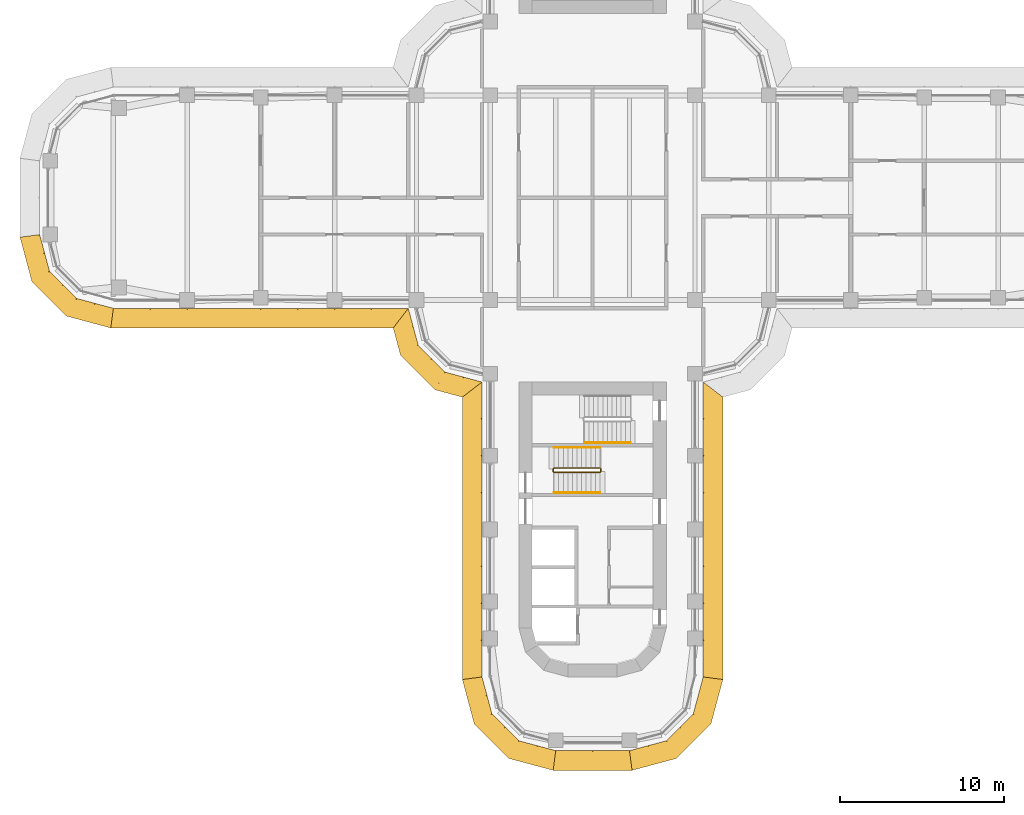
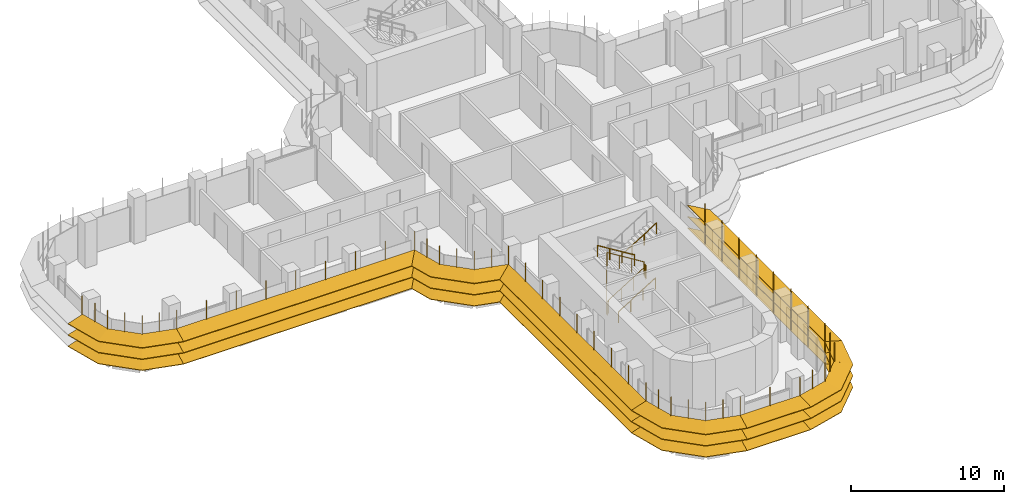
# One storey, part 19 of 22: 8 shading devices, 4 railings.
"""IFC4 building model written with IfcOpenShell, lengths in metres."""

from ifc_helpers import new_model, si_unit, direction, frame, origin, origin_2d, place, context, subcontext, project, spatial, polyline, circle, outline, extrude, faceted_brep, source, transform, mapped, material, type_object, element, save


model = new_model("IFC4")

# Units and contexts
model_context = context("Model", 3, precision=1e-05, world=origin(), true_north=direction((0.0, 1.0)))
body_context = subcontext(model_context, "Body", "Model", "MODEL_VIEW")
ifc_project = project(units=[si_unit("LENGTHUNIT", "METRE"), si_unit("AREAUNIT", "SQUARE_METRE"), si_unit("VOLUMEUNIT", "CUBIC_METRE"), si_unit("PLANEANGLEUNIT", "RADIAN"), si_unit("MASSUNIT", "GRAM", prefix="KILO")], contexts=[model_context])

# Site, building, storey
site_placement = place(None, origin())
site = spatial("IfcSite", under=ifc_project, at=site_placement, CompositionType="ELEMENT")
building_placement = place(site_placement, origin())
building = spatial("IfcBuilding", under=site, at=building_placement, Name="Zarbagh Exchange Tower", CompositionType="ELEMENT")
storey_placement = place(building_placement, frame((0.0, 0.0, 109.39990234375)))
storey = spatial("IfcBuildingStorey", under=building, at=storey_placement, Name="L25", CompositionType="ELEMENT", Elevation=109.39990234375)

# Railings
ifc_material_1 = material(Name="Stainless steel", Category="steel")
railing_type_1 = type_object("IfcRailingType", Name="Stair guard 1100 mm", PredefinedType="GUARDRAIL", material=ifc_material_1)
railing_1_placement = place(storey_placement, frame((0.449951171875, -16.5, 2.07275390625)))
element("IfcRailing", 1, at=railing_1_placement, inside=storey, type_object=railing_type_1, Name="ST3 stair guard 1", PredefinedType="GUARDRAIL", context=body_context, shape_type="SweptSolid", body=[
    extrude(circle(Radius=0.02392578125, at=origin_2d()), frame((0.0, 0.0, 1.076171875), z_axis=(-0.851089632645, 0.0, 0.525020415988), x_axis=(0.0, -1.0, 0.0)), (0.0, 0.0, 1.0), 3.2900390625),
    extrude(circle(Radius=0.02392578125, at=origin_2d()), frame((-2.800048828125, 0.0, 2.80322265625), z_axis=(-0.013104066473, -0.013168302093, -0.99982742474), x_axis=(0.708833529934, -0.705375805398, 0.0)), (0.0, 0.0, 1.0), 3.80078125),
    extrude(circle(Radius=0.02392578125, at=origin_2d()), frame((-2.849853515625, -0.050048828125, -0.99658203125), z_axis=(0.0, -1.0, 0.0), x_axis=(1.0, 0.0, 0.0)), (0.0, 0.0, 1.0), 0.14990234375),
    extrude(circle(Radius=0.02392578125, at=origin_2d()), frame((-2.849853515625, -0.199951171875, -0.99658203125), z_axis=(0.266739603011, -0.268047150085, 0.925743328097), x_axis=(0.708833529934, 0.705375805398, 0.0)), (0.0, 0.0, 1.0), 0.186767578125),
    extrude(circle(Radius=0.02392578125, at=origin_2d()), frame((-2.800048828125, -0.25, -0.82373046875), z_axis=(0.851089632645, 0.0, 0.525020415988), x_axis=(0.0, 1.0, 0.0)), (0.0, 0.0, 1.0), 3.2900390625),
    extrude(circle(Radius=0.02392578125, at=origin_2d()), frame((0.0, -0.25, 0.9033203125), z_axis=(0.707106781187, 0.707106781187, 0.0), x_axis=(-0.707106781187, 0.707106781187, 0.0)), (0.0, 0.0, 1.0), 0.07080078125),
    extrude(circle(Radius=0.02392578125, at=origin_2d()), frame((0.050048828125, -0.199951171875, 0.9033203125), z_axis=(0.0, 1.0, 0.0), x_axis=(-1.0, 0.0, 0.0)), (0.0, 0.0, 1.0), 0.14990234375),
    extrude(circle(Radius=0.02099609375, at=origin_2d()), origin(), (0.0, 0.0, 1.0), 1.052001953125),
    extrude(circle(Radius=0.02099609375, at=origin_2d()), frame((-0.933349609375, 0.0, 0.57568359375)), (0.0, 0.0, 1.0), 1.052001953125),
    extrude(circle(Radius=0.02099609375, at=origin_2d()), frame((-1.86669921875, 0.0, 1.151611328125)), (0.0, 0.0, 1.0), 1.052001953125),
    extrude(circle(Radius=0.02099609375, at=origin_2d()), frame((-2.800048828125, 0.0, 1.727294921875)), (0.0, 0.0, 1.0), 1.052001953125),
    extrude(circle(Radius=0.02099609375, at=origin_2d()), frame((-2.8125, -0.012451171875, 0.77734375)), (0.0, 0.0, 1.0), 1.052001953125),
    extrude(circle(Radius=0.02099609375, at=origin_2d()), frame((-2.824951171875, -0.02490234375, -0.1728515625)), (0.0, 0.0, 1.0), 1.052001953125),
    extrude(circle(Radius=0.02099609375, at=origin_2d()), frame((-2.83740234375, -0.03759765625, -1.122802734375)), (0.0, 0.0, 1.0), 1.052001953125),
    extrude(circle(Radius=0.02099609375, at=origin_2d()), frame((-2.849853515625, -0.050048828125, -2.07275390625)), (0.0, 0.0, 1.0), 1.052001953125),
    extrude(circle(Radius=0.02099609375, at=origin_2d()), frame((-2.849853515625, -0.199951171875, -2.07275390625)), (0.0, 0.0, 1.0), 1.052001953125),
    extrude(circle(Radius=0.02099609375, at=origin_2d()), frame((-2.800048828125, -0.25, -1.89990234375)), (0.0, 0.0, 1.0), 1.052001953125),
    extrude(circle(Radius=0.02099609375, at=origin_2d()), frame((-1.86669921875, -0.25, -1.32421875)), (0.0, 0.0, 1.0), 1.052001953125),
    extrude(circle(Radius=0.02099609375, at=origin_2d()), frame((-0.933349609375, -0.25, -0.748291015625)), (0.0, 0.0, 1.0), 1.052001953125),
    extrude(circle(Radius=0.02099609375, at=origin_2d()), frame((0.0, -0.25, -0.172607421875)), (0.0, 0.0, 1.0), 1.052001953125),
    extrude(circle(Radius=0.02099609375, at=origin_2d()), frame((0.050048828125, -0.199951171875, -0.172607421875)), (0.0, 0.0, 1.0), 1.052001953125),
    extrude(circle(Radius=0.02099609375, at=origin_2d()), frame((0.050048828125, -0.050048828125, -0.172607421875)), (0.0, 0.0, 1.0), 1.052001953125),
])
railing_type_2 = type_object("IfcRailingType", Name="Stair handrail 900 mm", PredefinedType="HANDRAIL", material=ifc_material_1)
railing_2_placement = place(storey_placement, frame((-2.35009765625, -18.0, 0.1728515625)))
element("IfcRailing", 2, at=railing_2_placement, inside=storey, type_object=railing_type_2, Name="ST3 stair handrail 1", PredefinedType="HANDRAIL", context=body_context, shape_type="SweptSolid", body=[
    extrude(circle(Radius=0.02392578125, at=origin_2d()), frame((0.0, 0.0, 0.8759765625), z_axis=(0.851089632645, 0.0, 0.525020415988), x_axis=(0.0, 1.0, 0.0)), (0.0, 0.0, 1.0), 3.2900390625),
    extrude(circle(Radius=0.02099609375, at=origin_2d()), origin(), (0.0, 0.0, 1.0), 0.851806640625),
    extrude(circle(Radius=0.02099609375, at=origin_2d()), frame((0.933349609375, 0.0, 0.57568359375)), (0.0, 0.0, 1.0), 0.851806640625),
    extrude(circle(Radius=0.02099609375, at=origin_2d()), frame((1.86669921875, 0.0, 1.151611328125)), (0.0, 0.0, 1.0), 0.851806640625),
    extrude(circle(Radius=0.02099609375, at=origin_2d()), frame((2.800048828125, 0.0, 1.727294921875)), (0.0, 0.0, 1.0), 0.851806640625),
])
railing_3_placement = place(storey_placement, frame((0.449951171875, -15.25, 2.07275390625)))
element("IfcRailing", 3, at=railing_3_placement, inside=storey, type_object=railing_type_2, Name="ST3 stair handrail 2", PredefinedType="HANDRAIL", context=body_context, shape_type="SweptSolid", body=[
    extrude(circle(Radius=0.02392578125, at=origin_2d()), frame((0.0, 0.0, 0.8759765625), z_axis=(-0.851089632645, 0.0, 0.525020415988), x_axis=(0.0, -1.0, 0.0)), (0.0, 0.0, 1.0), 3.2900390625),
    extrude(circle(Radius=0.02099609375, at=origin_2d()), origin(), (0.0, 0.0, 1.0), 0.851806640625),
    extrude(circle(Radius=0.02099609375, at=origin_2d()), frame((-0.933349609375, 0.0, 0.57568359375)), (0.0, 0.0, 1.0), 0.851806640625),
    extrude(circle(Radius=0.02099609375, at=origin_2d()), frame((-1.86669921875, 0.0, 1.151611328125)), (0.0, 0.0, 1.0), 0.851806640625),
    extrude(circle(Radius=0.02099609375, at=origin_2d()), frame((-2.800048828125, 0.0, 1.727294921875)), (0.0, 0.0, 1.0), 0.851806640625),
])
railing_4_placement = place(storey_placement, frame((-0.5, -14.949951171875, 2.07275390625)))
element("IfcRailing", 4, at=railing_4_placement, inside=storey, type_object=railing_type_2, Name="ST4 stair handrail 2", PredefinedType="HANDRAIL", context=body_context, shape_type="SweptSolid", body=[
    extrude(circle(Radius=0.02392578125, at=origin_2d()), frame((0.0, 0.0, 0.8759765625), z_axis=(0.851089632645, 0.0, 0.525020415988), x_axis=(0.0, 1.0, 0.0)), (0.0, 0.0, 1.0), 3.2900390625),
    extrude(circle(Radius=0.02099609375, at=origin_2d()), origin(), (0.0, 0.0, 1.0), 0.851806640625),
    extrude(circle(Radius=0.02099609375, at=origin_2d()), frame((0.933349609375, 0.0, 0.57568359375)), (0.0, 0.0, 1.0), 0.851806640625),
    extrude(circle(Radius=0.02099609375, at=origin_2d()), frame((1.86669921875, 0.0, 1.151611328125)), (0.0, 0.0, 1.0), 0.851806640625),
    extrude(circle(Radius=0.02099609375, at=origin_2d()), frame((2.800048828125, 0.0, 1.727294921875)), (0.0, 0.0, 1.0), 0.851806640625),
])

# Shading devices
ifc_material_2 = material(Name="Anodised aluminium blades and brackets", Category="aluminium")
shading_device_type = type_object("IfcShadingDeviceType", Name="SUNSHADE louvre band, 11.25 degree blades", PredefinedType="JALOUSIE", material=ifc_material_2)
shared_shape_1 = source(origin(), body_context, "Body", "Brep", [
    faceted_brep([(0.0, 0.0, 0.0), (0.0, 0.0, -0.040771484375), (-0.157958984375, -1.199951171875, -0.279541015625), (-0.157958984375, -1.199951171875, -0.23876953125), (2.65087890625, -1.199951171875, -0.23876953125), (2.65087890625, -1.199951171875, -0.279541015625), (2.329345703125, 0.0, -0.040771484375), (2.329345703125, 0.0, 0.0)], [[[0, 1, 2, 3]], [[4, 5, 6, 7]], [[0, 7, 6, 1]], [[1, 6, 5, 2]], [[2, 5, 4, 3]], [[3, 4, 7, 0]]]),
])
shared_shape_2 = source(origin(), body_context, "Body", "Brep", [
    faceted_brep([(0.0, 0.0, 0.0), (0.0, 0.0, -0.040771484375), (-0.321533203125, -1.199951171875, -0.279541015625), (-0.321533203125, -1.199951171875, -0.23876953125), (2.65087890625, -1.199951171875, -0.23876953125), (2.65087890625, -1.199951171875, -0.279541015625), (2.329345703125, 0.0, -0.040771484375), (2.329345703125, 0.0, 0.0)], [[[0, 1, 2, 3]], [[4, 5, 6, 7]], [[0, 7, 6, 1]], [[1, 6, 5, 2]], [[2, 5, 4, 3]], [[3, 4, 7, 0]]]),
])
shared_shape_3 = source(origin(), body_context, "Body", "Brep", [
    faceted_brep([(0.0, 0.0, 0.0), (0.0, 0.0, -0.040771484375), (-0.321533203125, -1.199951171875, -0.279541015625), (-0.321533203125, -1.199951171875, -0.23876953125), (2.4873046875, -1.199951171875, -0.23876953125), (2.4873046875, -1.199951171875, -0.279541015625), (2.329345703125, 0.0, -0.040771484375), (2.329345703125, 0.0, 0.0)], [[[0, 1, 2, 3]], [[4, 5, 6, 7]], [[0, 7, 6, 1]], [[1, 6, 5, 2]], [[2, 5, 4, 3]], [[3, 4, 7, 0]]]),
])
shared_shape_4 = source(origin(), body_context, "Body", "SweptSolid", [
    extrude(outline(polyline([(0.0, -0.012451171875), (0.06005859375, -0.012451171875), (0.06005859375, 0.012451171875), (0.0, 0.012451171875), (0.0, -0.012451171875)])), origin(), (0.0, 0.0, 1.0), 3.350830078125),
])
placement = place(storey_placement, origin())
element("IfcShadingDevice", 5, at=placement, inside=storey, type_object=shading_device_type, Name="SS01 sunshade band", PredefinedType="JALOUSIE", context=body_context, shape_type="MappedRepresentation", body=[
    mapped(shared_shape_1, transform((2.25, -33.75, 2.300048828125), x_axis=(0.965924289636, 0.258824779902, 0.0), y_axis=(-0.258824779902, 0.965924289636, 0.0), z_axis=(0.0, 0.0, 1.0))),
    mapped(shared_shape_1, transform((2.25, -33.75, 1.400146484375), x_axis=(0.965924289636, 0.258824779902, 0.0), y_axis=(-0.258824779902, 0.965924289636, 0.0), z_axis=(0.0, 0.0, 1.0))),
    mapped(shared_shape_1, transform((2.25, -33.75, 0.5), x_axis=(0.965924289636, 0.258824779902, 0.0), y_axis=(-0.258824779902, 0.965924289636, 0.0), z_axis=(0.0, 0.0, 1.0))),
    mapped(shared_shape_2, transform((4.5, -33.147216796875, 2.300048828125), x_axis=(0.707106781187, 0.707106781187, 0.0), y_axis=(-0.707106781187, 0.707106781187, 0.0), z_axis=(0.0, 0.0, 1.0))),
    mapped(shared_shape_2, transform((4.5, -33.147216796875, 1.400146484375), x_axis=(0.707106781187, 0.707106781187, 0.0), y_axis=(-0.707106781187, 0.707106781187, 0.0), z_axis=(0.0, 0.0, 1.0))),
    mapped(shared_shape_2, transform((4.5, -33.147216796875, 0.5), x_axis=(0.707106781187, 0.707106781187, 0.0), y_axis=(-0.707106781187, 0.707106781187, 0.0), z_axis=(0.0, 0.0, 1.0))),
    mapped(shared_shape_3, transform((6.147216796875, -31.5, 2.300048828125), x_axis=(0.258824779902, 0.965924289636, 0.0), y_axis=(-0.965924289636, 0.258824779902, 0.0), z_axis=(0.0, 0.0, 1.0))),
    mapped(shared_shape_3, transform((6.147216796875, -31.5, 1.400146484375), x_axis=(0.258824779902, 0.965924289636, 0.0), y_axis=(-0.965924289636, 0.258824779902, 0.0), z_axis=(0.0, 0.0, 1.0))),
    mapped(shared_shape_3, transform((6.147216796875, -31.5, 0.5), x_axis=(0.258824779902, 0.965924289636, 0.0), y_axis=(-0.965924289636, 0.258824779902, 0.0), z_axis=(0.0, 0.0, 1.0))),
    mapped(shared_shape_4, transform((2.25, -33.75, 0.42919921875), x_axis=(0.130529263012, -0.991444457092, 0.0), y_axis=(0.991444457092, 0.130529263012, 0.0), z_axis=(0.0, 0.0, 1.0))),
    mapped(shared_shape_4, transform((3.375, -33.448486328125, 0.42919921875), x_axis=(0.258825058029, -0.96592421511, 0.0), y_axis=(0.96592421511, 0.258825058029, 0.0), z_axis=(0.0, 0.0, 1.0))),
    mapped(shared_shape_4, transform((4.5, -33.147216796875, 0.42919921875), x_axis=(0.50000275701, -0.866023812018, 0.0), y_axis=(0.866023812018, 0.50000275701, 0.0), z_axis=(0.0, 0.0, 1.0))),
    mapped(shared_shape_4, transform((5.323486328125, -32.323486328125, 0.42919921875), x_axis=(0.707106781187, -0.707106781187, 0.0), y_axis=(0.707106781187, 0.707106781187, 0.0), z_axis=(0.0, 0.0, 1.0))),
    mapped(shared_shape_4, transform((6.147216796875, -31.5, 0.42919921875), x_axis=(0.866023812018, -0.50000275701, 0.0), y_axis=(0.50000275701, 0.866023812018, 0.0), z_axis=(0.0, 0.0, 1.0))),
    mapped(shared_shape_4, transform((6.448486328125, -30.375, 0.42919921875), x_axis=(0.96592421511, -0.258825058029, 0.0), y_axis=(0.258825058029, 0.96592421511, 0.0), z_axis=(0.0, 0.0, 1.0))),
])
element("IfcShadingDevice", 6, at=placement, inside=storey, type_object=shading_device_type, Name="SS19 sunshade band", PredefinedType="JALOUSIE", context=body_context, shape_type="MappedRepresentation", body=[
    mapped(shared_shape_1, transform((-33.75, -2.25, 2.300048828125), x_axis=(0.258824779902, -0.965924289636, 0.0), y_axis=(0.965924289636, 0.258824779902, 0.0), z_axis=(0.0, 0.0, 1.0))),
    mapped(shared_shape_1, transform((-33.75, -2.25, 1.400146484375), x_axis=(0.258824779902, -0.965924289636, 0.0), y_axis=(0.965924289636, 0.258824779902, 0.0), z_axis=(0.0, 0.0, 1.0))),
    mapped(shared_shape_1, transform((-33.75, -2.25, 0.5), x_axis=(0.258824779902, -0.965924289636, 0.0), y_axis=(0.965924289636, 0.258824779902, 0.0), z_axis=(0.0, 0.0, 1.0))),
    mapped(shared_shape_2, transform((-33.147216796875, -4.5, 2.300048828125), x_axis=(0.707106781187, -0.707106781187, 0.0), y_axis=(0.707106781187, 0.707106781187, 0.0), z_axis=(0.0, 0.0, 1.0))),
    mapped(shared_shape_2, transform((-33.147216796875, -4.5, 1.400146484375), x_axis=(0.707106781187, -0.707106781187, 0.0), y_axis=(0.707106781187, 0.707106781187, 0.0), z_axis=(0.0, 0.0, 1.0))),
    mapped(shared_shape_2, transform((-33.147216796875, -4.5, 0.5), x_axis=(0.707106781187, -0.707106781187, 0.0), y_axis=(0.707106781187, 0.707106781187, 0.0), z_axis=(0.0, 0.0, 1.0))),
    mapped(shared_shape_3, transform((-31.5, -6.147216796875, 2.300048828125), x_axis=(0.965924289636, -0.258824779902, 0.0), y_axis=(0.258824779902, 0.965924289636, 0.0), z_axis=(0.0, 0.0, 1.0))),
    mapped(shared_shape_3, transform((-31.5, -6.147216796875, 1.400146484375), x_axis=(0.965924289636, -0.258824779902, 0.0), y_axis=(0.258824779902, 0.965924289636, 0.0), z_axis=(0.0, 0.0, 1.0))),
    mapped(shared_shape_3, transform((-31.5, -6.147216796875, 0.5), x_axis=(0.965924289636, -0.258824779902, 0.0), y_axis=(0.258824779902, 0.965924289636, 0.0), z_axis=(0.0, 0.0, 1.0))),
    mapped(shared_shape_4, transform((-33.75, -2.25, 0.42919921875), x_axis=(-0.991444457092, -0.130529263012, 0.0), y_axis=(0.130529263012, -0.991444457092, 0.0), z_axis=(0.0, 0.0, 1.0))),
    mapped(shared_shape_4, transform((-33.448486328125, -3.375, 0.42919921875), x_axis=(-0.96592421511, -0.258825058029, 0.0), y_axis=(0.258825058029, -0.96592421511, 0.0), z_axis=(0.0, 0.0, 1.0))),
    mapped(shared_shape_4, transform((-33.147216796875, -4.5, 0.42919921875), x_axis=(-0.866023812018, -0.50000275701, 0.0), y_axis=(0.50000275701, -0.866023812018, 0.0), z_axis=(0.0, 0.0, 1.0))),
    mapped(shared_shape_4, transform((-32.323486328125, -5.323486328125, 0.42919921875), x_axis=(-0.707106781187, -0.707106781187, 0.0), y_axis=(0.707106781187, -0.707106781187, 0.0), z_axis=(0.0, 0.0, 1.0))),
    mapped(shared_shape_4, transform((-31.5, -6.147216796875, 0.42919921875), x_axis=(-0.50000275701, -0.866023812018, 0.0), y_axis=(0.866023812018, -0.50000275701, 0.0), z_axis=(0.0, 0.0, 1.0))),
    mapped(shared_shape_4, transform((-30.375, -6.448486328125, 0.42919921875), x_axis=(-0.258825058029, -0.96592421511, 0.0), y_axis=(0.96592421511, -0.258825058029, 0.0), z_axis=(0.0, 0.0, 1.0))),
])
element("IfcShadingDevice", 7, at=placement, inside=storey, type_object=shading_device_type, Name="SS23 sunshade band", PredefinedType="JALOUSIE", context=body_context, shape_type="MappedRepresentation", body=[
    mapped(shared_shape_1, transform((-6.75, -29.25, 2.300048828125), x_axis=(0.258824779902, -0.965924289636, 0.0), y_axis=(0.965924289636, 0.258824779902, 0.0), z_axis=(0.0, 0.0, 1.0))),
    mapped(shared_shape_1, transform((-6.75, -29.25, 1.400146484375), x_axis=(0.258824779902, -0.965924289636, 0.0), y_axis=(0.965924289636, 0.258824779902, 0.0), z_axis=(0.0, 0.0, 1.0))),
    mapped(shared_shape_1, transform((-6.75, -29.25, 0.5), x_axis=(0.258824779902, -0.965924289636, 0.0), y_axis=(0.965924289636, 0.258824779902, 0.0), z_axis=(0.0, 0.0, 1.0))),
    mapped(shared_shape_2, transform((-6.147216796875, -31.5, 2.300048828125), x_axis=(0.707106781187, -0.707106781187, 0.0), y_axis=(0.707106781187, 0.707106781187, 0.0), z_axis=(0.0, 0.0, 1.0))),
    mapped(shared_shape_2, transform((-6.147216796875, -31.5, 1.400146484375), x_axis=(0.707106781187, -0.707106781187, 0.0), y_axis=(0.707106781187, 0.707106781187, 0.0), z_axis=(0.0, 0.0, 1.0))),
    mapped(shared_shape_2, transform((-6.147216796875, -31.5, 0.5), x_axis=(0.707106781187, -0.707106781187, 0.0), y_axis=(0.707106781187, 0.707106781187, 0.0), z_axis=(0.0, 0.0, 1.0))),
    mapped(shared_shape_3, transform((-4.5, -33.147216796875, 2.300048828125), x_axis=(0.965924289636, -0.258824779902, 0.0), y_axis=(0.258824779902, 0.965924289636, 0.0), z_axis=(0.0, 0.0, 1.0))),
    mapped(shared_shape_3, transform((-4.5, -33.147216796875, 1.400146484375), x_axis=(0.965924289636, -0.258824779902, 0.0), y_axis=(0.258824779902, 0.965924289636, 0.0), z_axis=(0.0, 0.0, 1.0))),
    mapped(shared_shape_3, transform((-4.5, -33.147216796875, 0.5), x_axis=(0.965924289636, -0.258824779902, 0.0), y_axis=(0.258824779902, 0.965924289636, 0.0), z_axis=(0.0, 0.0, 1.0))),
    mapped(shared_shape_4, transform((-6.75, -29.25, 0.42919921875), x_axis=(-0.991444457092, -0.130529263012, 0.0), y_axis=(0.130529263012, -0.991444457092, 0.0), z_axis=(0.0, 0.0, 1.0))),
    mapped(shared_shape_4, transform((-6.448486328125, -30.375, 0.42919921875), x_axis=(-0.96592421511, -0.258825058029, 0.0), y_axis=(0.258825058029, -0.96592421511, 0.0), z_axis=(0.0, 0.0, 1.0))),
    mapped(shared_shape_4, transform((-6.147216796875, -31.5, 0.42919921875), x_axis=(-0.866023812018, -0.50000275701, 0.0), y_axis=(0.50000275701, -0.866023812018, 0.0), z_axis=(0.0, 0.0, 1.0))),
    mapped(shared_shape_4, transform((-5.323486328125, -32.323486328125, 0.42919921875), x_axis=(-0.707106781187, -0.707106781187, 0.0), y_axis=(0.707106781187, -0.707106781187, 0.0), z_axis=(0.0, 0.0, 1.0))),
    mapped(shared_shape_4, transform((-4.5, -33.147216796875, 0.42919921875), x_axis=(-0.50000275701, -0.866023812018, 0.0), y_axis=(0.866023812018, -0.50000275701, 0.0), z_axis=(0.0, 0.0, 1.0))),
    mapped(shared_shape_4, transform((-3.375, -33.448486328125, 0.42919921875), x_axis=(-0.258825058029, -0.96592421511, 0.0), y_axis=(0.96592421511, -0.258825058029, 0.0), z_axis=(0.0, 0.0, 1.0))),
])
shared_shape_5 = source(origin(), body_context, "Body", "Brep", [
    faceted_brep([(0.0, 0.0, 0.0), (0.0, 0.0, -0.040771484375), (0.9208984375, -1.199951171875, -0.279541015625), (0.9208984375, -1.199951171875, -0.23876953125), (2.65087890625, -1.199951171875, -0.23876953125), (2.65087890625, -1.199951171875, -0.279541015625), (2.329345703125, 0.0, -0.040771484375), (2.329345703125, 0.0, 0.0)], [[[0, 1, 2, 3]], [[4, 5, 6, 7]], [[0, 7, 6, 1]], [[1, 6, 5, 2]], [[2, 5, 4, 3]], [[3, 4, 7, 0]]]),
])
shared_shape_6 = source(origin(), body_context, "Body", "Brep", [
    faceted_brep([(0.0, 0.0, 0.0), (0.0, 0.0, -0.040771484375), (-0.321533203125, -1.199951171875, -0.279541015625), (-0.321533203125, -1.199951171875, -0.23876953125), (1.40869140625, -1.199951171875, -0.23876953125), (1.40869140625, -1.199951171875, -0.279541015625), (2.329345703125, 0.0, -0.040771484375), (2.329345703125, 0.0, 0.0)], [[[0, 1, 2, 3]], [[4, 5, 6, 7]], [[0, 7, 6, 1]], [[1, 6, 5, 2]], [[2, 5, 4, 3]], [[3, 4, 7, 0]]]),
])
element("IfcShadingDevice", 8, at=placement, inside=storey, type_object=shading_device_type, Name="SS21 sunshade band", PredefinedType="JALOUSIE", context=body_context, shape_type="MappedRepresentation", body=[
    mapped(shared_shape_5, transform((-11.25, -6.75, 2.300048828125), x_axis=(0.258824779902, -0.965924289636, 0.0), y_axis=(0.965924289636, 0.258824779902, 0.0), z_axis=(0.0, 0.0, 1.0))),
    mapped(shared_shape_5, transform((-11.25, -6.75, 1.400146484375), x_axis=(0.258824779902, -0.965924289636, 0.0), y_axis=(0.965924289636, 0.258824779902, 0.0), z_axis=(0.0, 0.0, 1.0))),
    mapped(shared_shape_5, transform((-11.25, -6.75, 0.5), x_axis=(0.258824779902, -0.965924289636, 0.0), y_axis=(0.965924289636, 0.258824779902, 0.0), z_axis=(0.0, 0.0, 1.0))),
    mapped(shared_shape_2, transform((-10.647216796875, -9.0, 2.300048828125), x_axis=(0.707106781187, -0.707106781187, 0.0), y_axis=(0.707106781187, 0.707106781187, 0.0), z_axis=(0.0, 0.0, 1.0))),
    mapped(shared_shape_2, transform((-10.647216796875, -9.0, 1.400146484375), x_axis=(0.707106781187, -0.707106781187, 0.0), y_axis=(0.707106781187, 0.707106781187, 0.0), z_axis=(0.0, 0.0, 1.0))),
    mapped(shared_shape_2, transform((-10.647216796875, -9.0, 0.5), x_axis=(0.707106781187, -0.707106781187, 0.0), y_axis=(0.707106781187, 0.707106781187, 0.0), z_axis=(0.0, 0.0, 1.0))),
    mapped(shared_shape_6, transform((-9.0, -10.647216796875, 2.300048828125), x_axis=(0.965924289636, -0.258824779902, 0.0), y_axis=(0.258824779902, 0.965924289636, 0.0), z_axis=(0.0, 0.0, 1.0))),
    mapped(shared_shape_6, transform((-9.0, -10.647216796875, 1.400146484375), x_axis=(0.965924289636, -0.258824779902, 0.0), y_axis=(0.258824779902, 0.965924289636, 0.0), z_axis=(0.0, 0.0, 1.0))),
    mapped(shared_shape_6, transform((-9.0, -10.647216796875, 0.5), x_axis=(0.965924289636, -0.258824779902, 0.0), y_axis=(0.258824779902, 0.965924289636, 0.0), z_axis=(0.0, 0.0, 1.0))),
    mapped(shared_shape_4, transform((-11.25, -6.75, 0.42919921875), x_axis=(-0.608758892, -0.793355287, 0.0), y_axis=(0.793355287, -0.608758892, 0.0), z_axis=(0.0, 0.0, 1.0))),
    mapped(shared_shape_4, transform((-10.948486328125, -7.875, 0.42919921875), x_axis=(-0.96592421511, -0.258825058029, 0.0), y_axis=(0.258825058029, -0.96592421511, 0.0), z_axis=(0.0, 0.0, 1.0))),
    mapped(shared_shape_4, transform((-10.647216796875, -9.0, 0.42919921875), x_axis=(-0.866023812018, -0.50000275701, 0.0), y_axis=(0.50000275701, -0.866023812018, 0.0), z_axis=(0.0, 0.0, 1.0))),
    mapped(shared_shape_4, transform((-9.823486328125, -9.823486328125, 0.42919921875), x_axis=(-0.707106781187, -0.707106781187, 0.0), y_axis=(0.707106781187, -0.707106781187, 0.0), z_axis=(0.0, 0.0, 1.0))),
    mapped(shared_shape_4, transform((-9.0, -10.647216796875, 0.42919921875), x_axis=(-0.50000275701, -0.866023812018, 0.0), y_axis=(0.866023812018, -0.50000275701, 0.0), z_axis=(0.0, 0.0, 1.0))),
    mapped(shared_shape_4, transform((-7.875, -10.948486328125, 0.42919921875), x_axis=(-0.258825058029, -0.96592421511, 0.0), y_axis=(0.96592421511, -0.258825058029, 0.0), z_axis=(0.0, 0.0, 1.0))),
])
shared_shape_7 = source(origin(), body_context, "Body", "Brep", [
    faceted_brep([(0.0, 0.0, 0.0), (0.0, 0.0, -0.040771484375), (-0.157958984375, -1.199951171875, -0.279541015625), (-0.157958984375, -1.199951171875, -0.23876953125), (17.0791015625, -1.199951171875, -0.23876953125), (17.0791015625, -1.199951171875, -0.279541015625), (18.0, 0.0, -0.040771484375), (18.0, 0.0, 0.0)], [[[0, 1, 2, 3]], [[4, 5, 6, 7]], [[0, 7, 6, 1]], [[1, 6, 5, 2]], [[2, 5, 4, 3]], [[3, 4, 7, 0]]]),
])
element("IfcShadingDevice", 9, at=placement, inside=storey, type_object=shading_device_type, Name="SS02 sunshade band", PredefinedType="JALOUSIE", context=body_context, shape_type="MappedRepresentation", body=[
    mapped(shared_shape_7, transform((6.75, -29.25, 2.300048828125), x_axis=(0.0, 1.0, 0.0), y_axis=(-1.0, 0.0, 0.0), z_axis=(0.0, 0.0, 1.0))),
    mapped(shared_shape_7, transform((6.75, -29.25, 1.400146484375), x_axis=(0.0, 1.0, 0.0), y_axis=(-1.0, 0.0, 0.0), z_axis=(0.0, 0.0, 1.0))),
    mapped(shared_shape_7, transform((6.75, -29.25, 0.5), x_axis=(0.0, 1.0, 0.0), y_axis=(-1.0, 0.0, 0.0), z_axis=(0.0, 0.0, 1.0))),
    mapped(shared_shape_4, transform((6.75, -29.25, 0.42919921875), x_axis=(0.991444457092, -0.130529263012, 0.0), y_axis=(0.130529263012, 0.991444457092, 0.0), z_axis=(0.0, 0.0, 1.0))),
    mapped(shared_shape_4, transform((6.75, -27.0, 0.42919921875), x_axis=(1.0, 0.0, 0.0), y_axis=(0.0, 1.0, 0.0), z_axis=(0.0, 0.0, 1.0))),
    mapped(shared_shape_4, transform((6.75, -24.75, 0.42919921875), x_axis=(1.0, 0.0, 0.0), y_axis=(0.0, 1.0, 0.0), z_axis=(0.0, 0.0, 1.0))),
    mapped(shared_shape_4, transform((6.75, -22.5, 0.42919921875), x_axis=(1.0, 0.0, 0.0), y_axis=(0.0, 1.0, 0.0), z_axis=(0.0, 0.0, 1.0))),
    mapped(shared_shape_4, transform((6.75, -20.25, 0.42919921875), x_axis=(1.0, 0.0, 0.0), y_axis=(0.0, 1.0, 0.0), z_axis=(0.0, 0.0, 1.0))),
    mapped(shared_shape_4, transform((6.75, -18.0, 0.42919921875), x_axis=(1.0, 0.0, 0.0), y_axis=(0.0, 1.0, 0.0), z_axis=(0.0, 0.0, 1.0))),
    mapped(shared_shape_4, transform((6.75, -15.75, 0.42919921875), x_axis=(1.0, 0.0, 0.0), y_axis=(0.0, 1.0, 0.0), z_axis=(0.0, 0.0, 1.0))),
    mapped(shared_shape_4, transform((6.75, -13.5, 0.42919921875), x_axis=(1.0, 0.0, 0.0), y_axis=(0.0, 1.0, 0.0), z_axis=(0.0, 0.0, 1.0))),
])
element("IfcShadingDevice", 10, at=placement, inside=storey, type_object=shading_device_type, Name="SS20 sunshade band", PredefinedType="JALOUSIE", context=body_context, shape_type="MappedRepresentation", body=[
    mapped(shared_shape_7, transform((-29.25, -6.75, 2.300048828125), x_axis=(1.0, 0.0, 0.0), y_axis=(0.0, 1.0, 0.0), z_axis=(0.0, 0.0, 1.0))),
    mapped(shared_shape_7, transform((-29.25, -6.75, 1.400146484375), x_axis=(1.0, 0.0, 0.0), y_axis=(0.0, 1.0, 0.0), z_axis=(0.0, 0.0, 1.0))),
    mapped(shared_shape_7, transform((-29.25, -6.75, 0.5), x_axis=(1.0, 0.0, 0.0), y_axis=(0.0, 1.0, 0.0), z_axis=(0.0, 0.0, 1.0))),
    mapped(shared_shape_4, transform((-29.25, -6.75, 0.42919921875), x_axis=(-0.130529263012, -0.991444457092, 0.0), y_axis=(0.991444457092, -0.130529263012, 0.0), z_axis=(0.0, 0.0, 1.0))),
    mapped(shared_shape_4, transform((-27.0, -6.75, 0.42919921875), x_axis=(0.0, -1.0, 0.0), y_axis=(1.0, 0.0, 0.0), z_axis=(0.0, 0.0, 1.0))),
    mapped(shared_shape_4, transform((-24.75, -6.75, 0.42919921875), x_axis=(0.0, -1.0, 0.0), y_axis=(1.0, 0.0, 0.0), z_axis=(0.0, 0.0, 1.0))),
    mapped(shared_shape_4, transform((-22.5, -6.75, 0.42919921875), x_axis=(0.0, -1.0, 0.0), y_axis=(1.0, 0.0, 0.0), z_axis=(0.0, 0.0, 1.0))),
    mapped(shared_shape_4, transform((-20.25, -6.75, 0.42919921875), x_axis=(0.0, -1.0, 0.0), y_axis=(1.0, 0.0, 0.0), z_axis=(0.0, 0.0, 1.0))),
    mapped(shared_shape_4, transform((-18.0, -6.75, 0.42919921875), x_axis=(0.0, -1.0, 0.0), y_axis=(1.0, 0.0, 0.0), z_axis=(0.0, 0.0, 1.0))),
    mapped(shared_shape_4, transform((-15.75, -6.75, 0.42919921875), x_axis=(0.0, -1.0, 0.0), y_axis=(1.0, 0.0, 0.0), z_axis=(0.0, 0.0, 1.0))),
    mapped(shared_shape_4, transform((-13.5, -6.75, 0.42919921875), x_axis=(0.0, -1.0, 0.0), y_axis=(1.0, 0.0, 0.0), z_axis=(0.0, 0.0, 1.0))),
])
shared_shape_8 = source(origin(), body_context, "Body", "Brep", [
    faceted_brep([(0.0, 0.0, 0.0), (0.0, 0.0, -0.040771484375), (0.9208984375, -1.199951171875, -0.279541015625), (0.9208984375, -1.199951171875, -0.23876953125), (18.157958984375, -1.199951171875, -0.23876953125), (18.157958984375, -1.199951171875, -0.279541015625), (18.0, 0.0, -0.040771484375), (18.0, 0.0, 0.0)], [[[0, 1, 2, 3]], [[4, 5, 6, 7]], [[0, 7, 6, 1]], [[1, 6, 5, 2]], [[2, 5, 4, 3]], [[3, 4, 7, 0]]]),
])
element("IfcShadingDevice", 11, at=placement, inside=storey, type_object=shading_device_type, Name="SS22 sunshade band", PredefinedType="JALOUSIE", context=body_context, shape_type="MappedRepresentation", body=[
    mapped(shared_shape_8, transform((-6.75, -11.25, 2.300048828125), x_axis=(0.0, -1.0, 0.0), y_axis=(1.0, 0.0, 0.0), z_axis=(0.0, 0.0, 1.0))),
    mapped(shared_shape_8, transform((-6.75, -11.25, 1.400146484375), x_axis=(0.0, -1.0, 0.0), y_axis=(1.0, 0.0, 0.0), z_axis=(0.0, 0.0, 1.0))),
    mapped(shared_shape_8, transform((-6.75, -11.25, 0.5), x_axis=(0.0, -1.0, 0.0), y_axis=(1.0, 0.0, 0.0), z_axis=(0.0, 0.0, 1.0))),
    mapped(shared_shape_4, transform((-6.75, -11.25, 0.42919921875), x_axis=(-0.793355287, -0.608758892, 0.0), y_axis=(0.608758892, -0.793355287, 0.0), z_axis=(0.0, 0.0, 1.0))),
    mapped(shared_shape_4, transform((-6.75, -13.5, 0.42919921875), x_axis=(-1.0, 0.0, 0.0), y_axis=(0.0, -1.0, 0.0), z_axis=(0.0, 0.0, 1.0))),
    mapped(shared_shape_4, transform((-6.75, -15.75, 0.42919921875), x_axis=(-1.0, 0.0, 0.0), y_axis=(0.0, -1.0, 0.0), z_axis=(0.0, 0.0, 1.0))),
    mapped(shared_shape_4, transform((-6.75, -18.0, 0.42919921875), x_axis=(-1.0, 0.0, 0.0), y_axis=(0.0, -1.0, 0.0), z_axis=(0.0, 0.0, 1.0))),
    mapped(shared_shape_4, transform((-6.75, -20.25, 0.42919921875), x_axis=(-1.0, 0.0, 0.0), y_axis=(0.0, -1.0, 0.0), z_axis=(0.0, 0.0, 1.0))),
    mapped(shared_shape_4, transform((-6.75, -22.5, 0.42919921875), x_axis=(-1.0, 0.0, 0.0), y_axis=(0.0, -1.0, 0.0), z_axis=(0.0, 0.0, 1.0))),
    mapped(shared_shape_4, transform((-6.75, -24.75, 0.42919921875), x_axis=(-1.0, 0.0, 0.0), y_axis=(0.0, -1.0, 0.0), z_axis=(0.0, 0.0, 1.0))),
    mapped(shared_shape_4, transform((-6.75, -27.0, 0.42919921875), x_axis=(-1.0, 0.0, 0.0), y_axis=(0.0, -1.0, 0.0), z_axis=(0.0, 0.0, 1.0))),
])
shared_shape_9 = source(origin(), body_context, "Body", "Brep", [
    faceted_brep([(0.0, 0.0, 0.0), (0.0, 0.0, -0.040771484375), (-0.157958984375, -1.199951171875, -0.279541015625), (-0.157958984375, -1.199951171875, -0.23876953125), (4.657958984375, -1.199951171875, -0.23876953125), (4.657958984375, -1.199951171875, -0.279541015625), (4.5, 0.0, -0.040771484375), (4.5, 0.0, 0.0)], [[[0, 1, 2, 3]], [[4, 5, 6, 7]], [[0, 7, 6, 1]], [[1, 6, 5, 2]], [[2, 5, 4, 3]], [[3, 4, 7, 0]]]),
])
element("IfcShadingDevice", 12, at=placement, inside=storey, type_object=shading_device_type, Name="SS24 sunshade band", PredefinedType="JALOUSIE", context=body_context, shape_type="MappedRepresentation", body=[
    mapped(shared_shape_9, transform((-2.25, -33.75, 2.300048828125), x_axis=(1.0, 0.0, 0.0), y_axis=(0.0, 1.0, 0.0), z_axis=(0.0, 0.0, 1.0))),
    mapped(shared_shape_9, transform((-2.25, -33.75, 1.400146484375), x_axis=(1.0, 0.0, 0.0), y_axis=(0.0, 1.0, 0.0), z_axis=(0.0, 0.0, 1.0))),
    mapped(shared_shape_9, transform((-2.25, -33.75, 0.5), x_axis=(1.0, 0.0, 0.0), y_axis=(0.0, 1.0, 0.0), z_axis=(0.0, 0.0, 1.0))),
    mapped(shared_shape_4, transform((-2.25, -33.75, 0.42919921875), x_axis=(-0.130529263012, -0.991444457092, 0.0), y_axis=(0.991444457092, -0.130529263012, 0.0), z_axis=(0.0, 0.0, 1.0))),
    mapped(shared_shape_4, transform((0.0, -33.75, 0.42919921875), x_axis=(0.0, -1.0, 0.0), y_axis=(1.0, 0.0, 0.0), z_axis=(0.0, 0.0, 1.0))),
])

save(model, "model.ifc")
